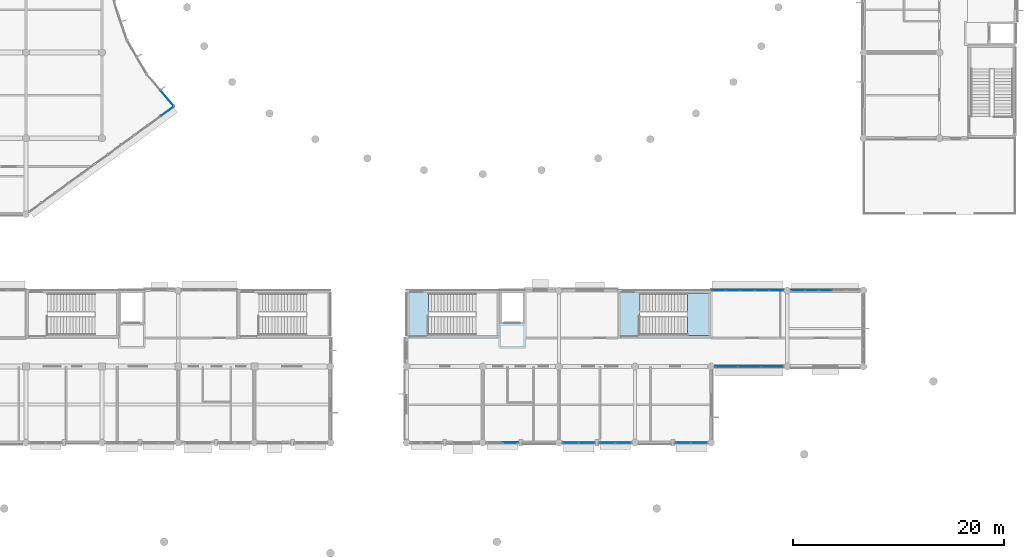
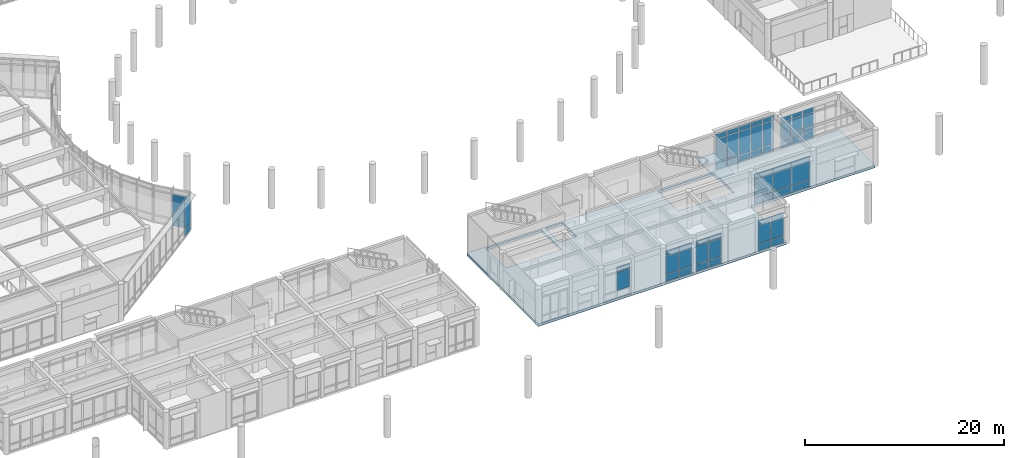
# One storey, part 38 of 92: 58 plates, 2 slabs, 10 elements without a shape of their own.
"""IFC4 building model written with IfcOpenShell, lengths in metres."""

import ifcopenshell
import ifcopenshell.guid

model = None  # the IFC model being written
_history = None  # IfcOwnerHistory: only IFC2X3 demands one
_inside = {}  # id of a spatial element -> (the spatial element, [elements in it])
_under = {}  # id of a project, library or spatial element -> (it, [spatial elements below it])
_declared = {}  # id of a project -> (the project, [libraries it declares])
_typed = {}  # id of a type object -> (the type object, [elements of that type])
_made_of = {}  # id of a material, layer set ... -> (it, [elements and type objects made of it])


def new_model(schema):
    """Start an empty IFC model of exactly this schema.

    Asked for "IFC4X3", IfcOpenShell would pick the latest addendum, in which some entities
    have other attributes; the version numbers below select the first issue.
    IFC2X3 requires an IfcOwnerHistory on every rooted entity: one is made here for all.
    """
    global model, _history
    if schema == "IFC4X3":
        model = ifcopenshell.file(schema_version=(4, 3, 0, 0))
    else:
        model = ifcopenshell.file(schema=schema)
    _inside.clear()
    _under.clear()
    _declared.clear()
    _typed.clear()
    _made_of.clear()
    _history = None
    if model.schema == "IFC2X3":
        org = make("IfcOrganization", Name="unknown")
        user = make(
            "IfcPersonAndOrganization",
            ThePerson=make("IfcPerson", FamilyName="unknown"),
            TheOrganization=org,
        )
        app = make(
            "IfcApplication",
            ApplicationDeveloper=org,
            Version="unknown",
            ApplicationFullName="unknown",
            ApplicationIdentifier="unknown",
        )
        _history = make(
            "IfcOwnerHistory",
            OwningUser=user,
            OwningApplication=app,
            ChangeAction="ADDED",
            CreationDate=0,
        )
    return model


def make(cls, **values):
    """One entity of the class cls with the attributes given. An attribute that is None is left unset."""
    return model.create_entity(
        cls, **{name: value for name, value in values.items() if value is not None}
    )


def rooted(cls, **values):
    """An entity with a GlobalId (a new one), such as an element, a storey or a relation."""
    return make(cls, GlobalId=ifcopenshell.guid.new(), OwnerHistory=_history, **values)


def si_unit(unit_type, name, prefix=None):
    """IfcSIUnit, for example si_unit("LENGTHUNIT", "METRE", prefix="MILLI")."""
    return make("IfcSIUnit", UnitType=unit_type, Prefix=prefix, Name=name)


def assignment(units):
    """IfcUnitAssignment: the units of a project."""
    return None if units is None else make("IfcUnitAssignment", Units=units)


def point(xyz):
    """IfcCartesianPoint."""
    return None if xyz is None else make("IfcCartesianPoint", Coordinates=xyz)


def direction(xyz):
    """IfcDirection."""
    return None if xyz is None else make("IfcDirection", DirectionRatios=xyz)


def frame(location, z_axis=None, x_axis=None):
    """IfcAxis2Placement3D, a coordinate frame: its origin and axes. An axis left out is left unset."""
    return make(
        "IfcAxis2Placement3D",
        Location=point(location),
        Axis=direction(z_axis),
        RefDirection=direction(x_axis),
    )


def frame_2d(location, x_axis=None):
    """IfcAxis2Placement2D, a coordinate frame in the plane: its origin and x axis."""
    return make(
        "IfcAxis2Placement2D", Location=point(location), RefDirection=direction(x_axis)
    )


def origin():
    """The frame at (0, 0, 0) with its axes left unset."""
    return frame((0.0, 0.0, 0.0))


def origin_2d():
    """The frame at (0, 0) in the plane with its x axis left unset."""
    return frame_2d((0.0, 0.0))


def place(relative_to, where):
    """IfcLocalPlacement: puts the frame where relative to a parent placement (None: the world)."""
    return make(
        "IfcLocalPlacement", PlacementRelTo=relative_to, RelativePlacement=where
    )


def context(
    kind, dimensions, precision=None, world=None, true_north=None, identifier=None
):
    """IfcGeometricRepresentationContext, for example the 3D "Model" context."""
    return make(
        "IfcGeometricRepresentationContext",
        ContextIdentifier=identifier,
        ContextType=kind,
        CoordinateSpaceDimension=dimensions,
        Precision=precision,
        WorldCoordinateSystem=world,
        TrueNorth=true_north,
    )


def subcontext(parent, identifier, kind, view, scale=None):
    """IfcGeometricRepresentationSubContext, for example "Body" below "Model"."""
    return make(
        "IfcGeometricRepresentationSubContext",
        ContextIdentifier=identifier,
        ContextType=kind,
        ParentContext=parent,
        TargetScale=scale,
        TargetView=view,
    )


def project(units=None, contexts=None):
    """IfcProject with its units and contexts."""
    return rooted(
        "IfcProject",
        Name="project",
        RepresentationContexts=contexts,
        UnitsInContext=assignment(units),
    )


def spatial(cls, under=None, at=None, **own):
    """A site, building, storey or space (cls), placed at a placement, below another one or the project."""
    s = rooted(cls, ObjectPlacement=at, **own)
    if under is not None:
        _under.setdefault(under.id(), (under, []))[1].append(s)
    return s


def polyline(points):
    """IfcPolyline through the points."""
    return make("IfcPolyline", Points=[point(p) for p in points])


def profile(cls, at=None, kind="AREA", **sizes):
    """A parametric profile (cls). Its sizes go by their IFC names, for example OverallWidth=200.0."""
    return make(cls, ProfileType=kind, Position=at, **sizes)


def rectangle(**sizes):
    """IfcRectangleProfileDef."""
    return profile("IfcRectangleProfileDef", **sizes)


def outline(outer, holes=None, kind="AREA"):
    """IfcArbitraryClosedProfileDef: a profile drawn as a closed curve; with holes, ...WithVoids."""
    if holes is None:
        return make("IfcArbitraryClosedProfileDef", ProfileType=kind, OuterCurve=outer)
    return make(
        "IfcArbitraryProfileDefWithVoids",
        ProfileType=kind,
        OuterCurve=outer,
        InnerCurves=holes,
    )


def extrude(swept, where, along, depth):
    """IfcExtrudedAreaSolid: the profile swept, set in the frame where, extruded along a direction by depth."""
    return make(
        "IfcExtrudedAreaSolid",
        SweptArea=swept,
        Position=where,
        ExtrudedDirection=direction(along),
        Depth=depth,
    )


def shape(context_of_items, identifier, shape_type, items):
    """IfcShapeRepresentation: the items that make up one representation, for example the "Body"."""
    return make(
        "IfcShapeRepresentation",
        ContextOfItems=context_of_items,
        RepresentationIdentifier=identifier,
        RepresentationType=shape_type,
        Items=items,
    )


def material(Name=None, Category=None):
    """IfcMaterial."""
    return make("IfcMaterial", Name=Name, Category=Category)


def layer(
    of_material, thickness, ventilated=None, Name=None, Category=None, Priority=None
):
    """IfcMaterialLayer: one layer of a wall or slab, of a material (None: an air gap)."""
    return make(
        "IfcMaterialLayer",
        Material=of_material,
        LayerThickness=thickness,
        IsVentilated=ventilated,
        Name=Name,
        Category=Category,
        Priority=Priority,
    )


def layer_set(layers, Name=None):
    """IfcMaterialLayerSet."""
    return make("IfcMaterialLayerSet", MaterialLayers=layers, LayerSetName=Name)


def made_of(thing, what):
    """Note that an element or type object is made of a material, layer set ...; save() writes the relation."""
    if what is not None:
        _made_of.setdefault(what.id(), (what, []))[1].append(thing)
    return thing


def type_object(cls, material=None, **own):
    """A type object (cls), such as IfcWallType, which elements share."""
    return made_of(rooted(cls, **own), material)


def element(
    cls,
    number,
    at=None,
    inside=None,
    cuts=None,
    type_object=None,
    material=None,
    context=None,
    identifier="Body",
    shape_type=None,
    held_by="IfcProductDefinitionShape",
    body=None,
    shapes=None,
    **own,
):
    """One element of the class cls, such as IfcWall. Its Tag is "e" and its number.

    at: its placement. inside: the storey or other place that contains it. cuts: it is an
    opening in that element (IfcRelVoidsElement). A single representation is given by context,
    identifier, shape_type and body (its items); several are given by shapes. held_by: the class
    of the entity that holds the representations. save() writes the other relations.
    """
    e = rooted(cls, Tag="e%d" % number, ObjectPlacement=at, **own)
    if body is not None:
        shapes = [shape(context, identifier, shape_type, body)]
    if shapes is not None:
        e.Representation = make(held_by, Representations=shapes)
    if inside is not None:
        _inside.setdefault(inside.id(), (inside, []))[1].append(e)
    if cuts is not None:
        rooted(
            "IfcRelVoidsElement", RelatingBuildingElement=cuts, RelatedOpeningElement=e
        )
    if type_object is not None:
        _typed.setdefault(type_object.id(), (type_object, []))[1].append(e)
    return made_of(e, material)


def aggregate(whole, parts):
    """IfcRelAggregates: a whole, such as a stair, and the parts it consists of."""
    return rooted("IfcRelAggregates", RelatingObject=whole, RelatedObjects=parts)


def save(model, path):
    """Write the relations noted so far, then the file.

    IfcRelAggregates (storeys below a building ...), IfcRelContainedInSpatialStructure (elements
    in a storey), IfcRelDefinesByType, IfcRelAssociatesMaterial and IfcRelDeclares: one each for
    every whole, place, type object, material and project.
    """
    for whole, parts in _under.values():
        aggregate(whole, parts)
    for where, things in _inside.values():
        rooted(
            "IfcRelContainedInSpatialStructure",
            RelatedElements=things,
            RelatingStructure=where,
        )
    for kind, things in _typed.values():
        rooted("IfcRelDefinesByType", RelatedObjects=things, RelatingType=kind)
    for what, things in _made_of.values():
        rooted("IfcRelAssociatesMaterial", RelatedObjects=things, RelatingMaterial=what)
    for by, libraries in _declared.values():
        rooted("IfcRelDeclares", RelatingContext=by, RelatedDefinitions=libraries)
    model.write(path)


model = new_model("IFC4")

# Units and contexts
model_context = context("Model", 3, precision=1e-05, world=origin(), true_north=direction((0.0, 1.0)))
body_context = subcontext(model_context, "Body", "Model", "MODEL_VIEW")
ifc_project = project(units=[si_unit("LENGTHUNIT", "METRE"), si_unit("AREAUNIT", "SQUARE_METRE"), si_unit("VOLUMEUNIT", "CUBIC_METRE"), si_unit("PLANEANGLEUNIT", "RADIAN"), si_unit("MASSUNIT", "GRAM", prefix="KILO")], contexts=[model_context])

# Site, building, storey
site_placement = place(None, origin())
site = spatial("IfcSite", under=ifc_project, at=site_placement, CompositionType="ELEMENT")
building_placement = place(site_placement, origin())
building = spatial("IfcBuilding", under=site, at=building_placement, Name="Namkhue Oval Health Centre", CompositionType="ELEMENT")
storey_placement = place(building_placement, frame((0.0, 0.0, 4.800048828125)))
storey = spatial("IfcBuildingStorey", under=building, at=storey_placement, Name="L01", CompositionType="ELEMENT", Elevation=4.800048828125)

# Curtain wall, plates
ifc_material_1 = material(Name="Anodised aluminium EN AW-6063 T6", Category="aluminium")
ifc_layer_1 = layer(ifc_material_1, 0.159912109375)
ifc_layer_set_1 = layer_set([ifc_layer_1], Name="Anodised aluminium EN AW-6063 T6")
curtain_wall_type_1 = type_object("IfcCurtainWallType", Name="UNITISED CURTAIN WALL M1500", PredefinedType="NOTDEFINED", material=ifc_layer_set_1)
curtain_wall_1_placement = place(storey_placement, origin())
curtain_wall_1 = element("IfcCurtainWall", 1, at=curtain_wall_1_placement, inside=storey, type_object=curtain_wall_type_1, Name="Volume V5 L01 Unitised Curtain Wall 189", PredefinedType="NOTDEFINED")
ifc_material_2 = material(Name="Thermally broken low-E laminated double glazing", Category="glass")
ifc_layer_2 = layer(ifc_material_2, 0.02587890625)
ifc_layer_set_2 = layer_set([ifc_layer_2], Name="Thermally broken low-E laminated double glazing")
plate_type_1 = type_object("IfcPlateType", Name="CURTAIN WALL GLAZED PANEL 26", PredefinedType="CURTAIN_PANEL", material=ifc_layer_set_2)
plate_1_placement = place(storey_placement, frame((109.12109375, 14.39990234375, 0.06494140625), z_axis=(0.0, 0.0, 1.0), x_axis=(1.0, 0.0, 0.0)))
plate_1 = element("IfcPlate", 2, at=plate_1_placement, type_object=plate_type_1, Name="CW-03 panel 1.1", PredefinedType="CURTAIN_PANEL", context=body_context, shape_type="SweptSolid", body=[
    extrude(rectangle(XDim=1.44189453125, YDim=0.02587890625, at=origin_2d()), origin(), (0.0, 0.0, 1.0), 0.802490234375),
])
plate_2_placement = place(storey_placement, frame((109.12109375, 14.39990234375, 0.932373046875), z_axis=(0.0, 0.0, 1.0), x_axis=(1.0, 0.0, 0.0)))
plate_2 = element("IfcPlate", 3, at=plate_2_placement, type_object=plate_type_1, Name="CW-03 panel 1.2", PredefinedType="CURTAIN_PANEL", context=body_context, shape_type="SweptSolid", body=[
    extrude(rectangle(XDim=1.44189453125, YDim=0.02587890625, at=origin_2d()), origin(), (0.0, 0.0, 1.0), 2.22509765625),
])
plate_3_placement = place(storey_placement, frame((109.12109375, 14.39990234375, 3.22265625), z_axis=(0.0, 0.0, 1.0), x_axis=(1.0, 0.0, 0.0)))
plate_3 = element("IfcPlate", 4, at=plate_3_placement, type_object=plate_type_1, Name="CW-03 panel 1.3", PredefinedType="CURTAIN_PANEL", context=body_context, shape_type="SweptSolid", body=[
    extrude(rectangle(XDim=1.44189453125, YDim=0.02587890625, at=origin_2d()), origin(), (0.0, 0.0, 1.0), 0.552490234375),
])
plate_4_placement = place(storey_placement, frame((110.6279296875, 14.39990234375, 0.06494140625), z_axis=(0.0, 0.0, 1.0), x_axis=(1.0, 0.0, 0.0)))
plate_4 = element("IfcPlate", 5, at=plate_4_placement, type_object=plate_type_1, Name="CW-03 panel 2.1", PredefinedType="CURTAIN_PANEL", context=body_context, shape_type="SweptSolid", body=[
    extrude(rectangle(XDim=1.44189453125, YDim=0.02587890625, at=origin_2d()), origin(), (0.0, 0.0, 1.0), 0.802490234375),
])
plate_5_placement = place(storey_placement, frame((110.6279296875, 14.39990234375, 0.932373046875), z_axis=(0.0, 0.0, 1.0), x_axis=(1.0, 0.0, 0.0)))
plate_5 = element("IfcPlate", 6, at=plate_5_placement, type_object=plate_type_1, Name="CW-03 panel 2.2", PredefinedType="CURTAIN_PANEL", context=body_context, shape_type="SweptSolid", body=[
    extrude(rectangle(XDim=1.44189453125, YDim=0.02587890625, at=origin_2d()), origin(), (0.0, 0.0, 1.0), 2.22509765625),
])
plate_6_placement = place(storey_placement, frame((110.6279296875, 14.39990234375, 3.22265625), z_axis=(0.0, 0.0, 1.0), x_axis=(1.0, 0.0, 0.0)))
plate_6 = element("IfcPlate", 7, at=plate_6_placement, type_object=plate_type_1, Name="CW-03 panel 2.3", PredefinedType="CURTAIN_PANEL", context=body_context, shape_type="SweptSolid", body=[
    extrude(rectangle(XDim=1.44189453125, YDim=0.02587890625, at=origin_2d()), origin(), (0.0, 0.0, 1.0), 0.552490234375),
])
aggregate(curtain_wall_1, [plate_1, plate_2, plate_3, plate_4, plate_5, plate_6])

ifc_layer_3 = layer(ifc_material_1, 0.159912109375)
ifc_layer_set_3 = layer_set([ifc_layer_3], Name="Anodised aluminium EN AW-6063 T6")
curtain_wall_type_2 = type_object("IfcCurtainWallType", Name="UNITISED CURTAIN WALL M1600", PredefinedType="NOTDEFINED", material=ifc_layer_set_3)
curtain_wall_2_placement = place(storey_placement, origin())
curtain_wall_2 = element("IfcCurtainWall", 8, at=curtain_wall_2_placement, inside=storey, type_object=curtain_wall_type_2, Name="Volume V1 L01 Unitised Curtain Wall 22", PredefinedType="NOTDEFINED")
ifc_layer_4 = layer(ifc_material_2, 0.028076171875)
ifc_layer_set_4 = layer_set([ifc_layer_4], Name="Thermally broken low-E laminated double glazing")
plate_type_2 = type_object("IfcPlateType", Name="CURTAIN WALL GLAZED PANEL 28", PredefinedType="CURTAIN_PANEL", material=ifc_layer_set_4)
plate_7_placement = place(storey_placement, frame((70.97802734375, 45.737060546875, 0.074951171875), z_axis=(0.0, 0.0, 1.0), x_axis=(0.808513999682, 0.588476942894, 0.0)))
plate_7 = element("IfcPlate", 9, at=plate_7_placement, type_object=plate_type_2, Name="CW-04 panel 11.1", PredefinedType="CURTAIN_PANEL", context=body_context, shape_type="SweptSolid", body=[
    extrude(rectangle(XDim=1.433349609375, YDim=0.028076171875, at=origin_2d()), origin(), (0.0, 0.0, 1.0), 0.78759765625),
])
plate_8_placement = place(storey_placement, frame((70.97802734375, 45.737060546875, 0.9375), z_axis=(0.0, 0.0, 1.0), x_axis=(0.808513999682, 0.588476942894, 0.0)))
plate_8 = element("IfcPlate", 10, at=plate_8_placement, type_object=plate_type_2, Name="CW-04 panel 11.2", PredefinedType="CURTAIN_PANEL", context=body_context, shape_type="SweptSolid", body=[
    extrude(rectangle(XDim=1.433349609375, YDim=0.028076171875, at=origin_2d()), origin(), (0.0, 0.0, 1.0), 2.97509765625),
])
plate_9_placement = place(storey_placement, frame((70.97802734375, 45.737060546875, 3.9873046875), z_axis=(0.0, 0.0, 1.0), x_axis=(0.808513999682, 0.588476942894, 0.0)))
plate_9 = element("IfcPlate", 11, at=plate_9_placement, type_object=plate_type_2, Name="CW-04 panel 11.3", PredefinedType="CURTAIN_PANEL", context=body_context, shape_type="SweptSolid", body=[
    extrude(rectangle(XDim=1.433349609375, YDim=0.028076171875, at=origin_2d()), origin(), (0.0, 0.0, 1.0), 0.53759765625),
])
aggregate(curtain_wall_2, [plate_7, plate_8, plate_9])

curtain_wall_3_placement = place(storey_placement, origin())
curtain_wall_3 = element("IfcCurtainWall", 12, at=curtain_wall_3_placement, inside=storey, type_object=curtain_wall_type_2, Name="Volume V5 L01 Unitised Curtain Wall 190", PredefinedType="NOTDEFINED")
plate_10_placement = place(storey_placement, frame((112.574462890625, 14.39990234375, 0.074951171875), z_axis=(0.0, 0.0, 1.0), x_axis=(1.0, 0.0, 0.0)))
plate_10 = element("IfcPlate", 13, at=plate_10_placement, type_object=plate_type_2, Name="CW-04 panel 1.1", PredefinedType="CURTAIN_PANEL", context=body_context, shape_type="SweptSolid", body=[
    extrude(rectangle(XDim=1.427001953125, YDim=0.028076171875, at=origin_2d()), origin(), (0.0, 0.0, 1.0), 0.78759765625),
])
plate_11_placement = place(storey_placement, frame((112.574462890625, 14.39990234375, 0.9375), z_axis=(0.0, 0.0, 1.0), x_axis=(1.0, 0.0, 0.0)))
plate_11 = element("IfcPlate", 14, at=plate_11_placement, type_object=plate_type_2, Name="CW-04 panel 1.2", PredefinedType="CURTAIN_PANEL", context=body_context, shape_type="SweptSolid", body=[
    extrude(rectangle(XDim=1.427001953125, YDim=0.028076171875, at=origin_2d()), origin(), (0.0, 0.0, 1.0), 2.215087890625),
])
plate_12_placement = place(storey_placement, frame((112.574462890625, 14.39990234375, 3.227294921875), z_axis=(0.0, 0.0, 1.0), x_axis=(1.0, 0.0, 0.0)))
plate_12 = element("IfcPlate", 15, at=plate_12_placement, type_object=plate_type_2, Name="CW-04 panel 1.3", PredefinedType="CURTAIN_PANEL", context=body_context, shape_type="SweptSolid", body=[
    extrude(rectangle(XDim=1.427001953125, YDim=0.028076171875, at=origin_2d()), origin(), (0.0, 0.0, 1.0), 0.53759765625),
])
plate_13_placement = place(storey_placement, frame((114.076416015625, 14.39990234375, 0.074951171875), z_axis=(0.0, 0.0, 1.0), x_axis=(1.0, 0.0, 0.0)))
plate_13 = element("IfcPlate", 16, at=plate_13_placement, type_object=plate_type_2, Name="CW-04 panel 2.1", PredefinedType="CURTAIN_PANEL", context=body_context, shape_type="SweptSolid", body=[
    extrude(rectangle(XDim=1.427001953125, YDim=0.028076171875, at=origin_2d()), origin(), (0.0, 0.0, 1.0), 0.78759765625),
])
plate_14_placement = place(storey_placement, frame((114.076416015625, 14.39990234375, 0.9375), z_axis=(0.0, 0.0, 1.0), x_axis=(1.0, 0.0, 0.0)))
plate_14 = element("IfcPlate", 17, at=plate_14_placement, type_object=plate_type_2, Name="CW-04 panel 2.2", PredefinedType="CURTAIN_PANEL", context=body_context, shape_type="SweptSolid", body=[
    extrude(rectangle(XDim=1.427001953125, YDim=0.028076171875, at=origin_2d()), origin(), (0.0, 0.0, 1.0), 2.215087890625),
])
plate_15_placement = place(storey_placement, frame((114.076416015625, 14.39990234375, 3.227294921875), z_axis=(0.0, 0.0, 1.0), x_axis=(1.0, 0.0, 0.0)))
plate_15 = element("IfcPlate", 18, at=plate_15_placement, type_object=plate_type_2, Name="CW-04 panel 2.3", PredefinedType="CURTAIN_PANEL", context=body_context, shape_type="SweptSolid", body=[
    extrude(rectangle(XDim=1.427001953125, YDim=0.028076171875, at=origin_2d()), origin(), (0.0, 0.0, 1.0), 0.53759765625),
])
aggregate(curtain_wall_3, [plate_10, plate_11, plate_12, plate_13, plate_14, plate_15])

ifc_layer_5 = layer(ifc_material_1, 0.159912109375)
ifc_layer_set_5 = layer_set([ifc_layer_5], Name="Anodised aluminium EN AW-6063 T6")
curtain_wall_type_3 = type_object("IfcCurtainWallType", Name="UNITISED CURTAIN WALL M1350", PredefinedType="NOTDEFINED", material=ifc_layer_set_5)
curtain_wall_4_placement = place(storey_placement, origin())
curtain_wall_4 = element("IfcCurtainWall", 19, at=curtain_wall_4_placement, inside=storey, type_object=curtain_wall_type_3, Name="Volume V5 L01 Unitised Curtain Wall 194", PredefinedType="NOTDEFINED")
plate_16_placement = place(storey_placement, frame((133.199951171875, 28.800048828125, 0.074951171875), z_axis=(0.0, 0.0, 1.0), x_axis=(-1.0, 0.0, 0.0)))
plate_16 = element("IfcPlate", 20, at=plate_16_placement, type_object=plate_type_2, Name="CW-02 panel 3.1", PredefinedType="CURTAIN_PANEL", context=body_context, shape_type="SweptSolid", body=[
    extrude(rectangle(XDim=1.23095703125, YDim=0.028076171875, at=origin_2d()), origin(), (0.0, 0.0, 1.0), 0.78759765625),
])
plate_17_placement = place(storey_placement, frame((133.199951171875, 28.800048828125, 0.9375), z_axis=(0.0, 0.0, 1.0), x_axis=(-1.0, 0.0, 0.0)))
plate_17 = element("IfcPlate", 21, at=plate_17_placement, type_object=plate_type_2, Name="CW-02 panel 3.2", PredefinedType="CURTAIN_PANEL", context=body_context, shape_type="SweptSolid", body=[
    extrude(rectangle(XDim=1.23095703125, YDim=0.028076171875, at=origin_2d()), origin(), (0.0, 0.0, 1.0), 2.262939453125),
])
plate_18_placement = place(storey_placement, frame((133.199951171875, 28.800048828125, 3.275390625), z_axis=(0.0, 0.0, 1.0), x_axis=(-1.0, 0.0, 0.0)))
plate_18 = element("IfcPlate", 22, at=plate_18_placement, type_object=plate_type_2, Name="CW-02 panel 3.3", PredefinedType="CURTAIN_PANEL", context=body_context, shape_type="SweptSolid", body=[
    extrude(rectangle(XDim=1.23095703125, YDim=0.028076171875, at=origin_2d()), origin(), (0.0, 0.0, 1.0), 0.53759765625),
])
plate_19_placement = place(storey_placement, frame((131.89404296875, 28.800048828125, 0.074951171875), z_axis=(0.0, 0.0, 1.0), x_axis=(-1.0, 0.0, 0.0)))
plate_19 = element("IfcPlate", 23, at=plate_19_placement, type_object=plate_type_2, Name="CW-02 panel 4.1", PredefinedType="CURTAIN_PANEL", context=body_context, shape_type="SweptSolid", body=[
    extrude(rectangle(XDim=1.23095703125, YDim=0.028076171875, at=origin_2d()), origin(), (0.0, 0.0, 1.0), 0.78759765625),
])
plate_20_placement = place(storey_placement, frame((131.89404296875, 28.800048828125, 0.9375), z_axis=(0.0, 0.0, 1.0), x_axis=(-1.0, 0.0, 0.0)))
plate_20 = element("IfcPlate", 24, at=plate_20_placement, type_object=plate_type_2, Name="CW-02 panel 4.2", PredefinedType="CURTAIN_PANEL", context=body_context, shape_type="SweptSolid", body=[
    extrude(rectangle(XDim=1.23095703125, YDim=0.028076171875, at=origin_2d()), origin(), (0.0, 0.0, 1.0), 2.262939453125),
])
plate_21_placement = place(storey_placement, frame((131.89404296875, 28.800048828125, 3.275390625), z_axis=(0.0, 0.0, 1.0), x_axis=(-1.0, 0.0, 0.0)))
plate_21 = element("IfcPlate", 25, at=plate_21_placement, type_object=plate_type_2, Name="CW-02 panel 4.3", PredefinedType="CURTAIN_PANEL", context=body_context, shape_type="SweptSolid", body=[
    extrude(rectangle(XDim=1.23095703125, YDim=0.028076171875, at=origin_2d()), origin(), (0.0, 0.0, 1.0), 0.53759765625),
])
plate_22_placement = place(storey_placement, frame((130.606689453125, 28.800048828125, 0.074951171875), z_axis=(0.0, 0.0, 1.0), x_axis=(-1.0, 0.0, 0.0)))
plate_22 = element("IfcPlate", 26, at=plate_22_placement, type_object=plate_type_2, Name="CW-02 panel 5.1", PredefinedType="CURTAIN_PANEL", context=body_context, shape_type="SweptSolid", body=[
    extrude(rectangle(XDim=1.193603515625, YDim=0.028076171875, at=origin_2d()), origin(), (0.0, 0.0, 1.0), 0.78759765625),
])
plate_23_placement = place(storey_placement, frame((130.606689453125, 28.800048828125, 0.9375), z_axis=(0.0, 0.0, 1.0), x_axis=(-1.0, 0.0, 0.0)))
plate_23 = element("IfcPlate", 27, at=plate_23_placement, type_object=plate_type_2, Name="CW-02 panel 5.2", PredefinedType="CURTAIN_PANEL", context=body_context, shape_type="SweptSolid", body=[
    extrude(rectangle(XDim=1.193603515625, YDim=0.028076171875, at=origin_2d()), origin(), (0.0, 0.0, 1.0), 2.262939453125),
])
plate_24_placement = place(storey_placement, frame((130.606689453125, 28.800048828125, 3.275390625), z_axis=(0.0, 0.0, 1.0), x_axis=(-1.0, 0.0, 0.0)))
plate_24 = element("IfcPlate", 28, at=plate_24_placement, type_object=plate_type_2, Name="CW-02 panel 5.3", PredefinedType="CURTAIN_PANEL", context=body_context, shape_type="SweptSolid", body=[
    extrude(rectangle(XDim=1.193603515625, YDim=0.028076171875, at=origin_2d()), origin(), (0.0, 0.0, 1.0), 0.53759765625),
])
aggregate(curtain_wall_4, [plate_16, plate_17, plate_18, plate_19, plate_20, plate_21, plate_22, plate_23, plate_24])

ifc_layer_6 = layer(ifc_material_1, 0.159912109375)
ifc_layer_set_6 = layer_set([ifc_layer_6], Name="Anodised aluminium EN AW-6063 T6")
curtain_wall_type_4 = type_object("IfcCurtainWallType", Name="UNITISED CURTAIN WALL M1800", PredefinedType="NOTDEFINED", material=ifc_layer_set_6)
curtain_wall_5_placement = place(storey_placement, origin())
curtain_wall_5 = element("IfcCurtainWall", 29, at=curtain_wall_5_placement, inside=storey, type_object=curtain_wall_type_4, Name="Volume V1 L01 Unitised Curtain Wall 23", PredefinedType="NOTDEFINED")
ifc_material_3 = material(Name="Insulated anodised aluminium spandrel panel", Category="aluminium")
ifc_layer_7 = layer(ifc_material_3, 0.031982421875)
ifc_layer_set_7 = layer_set([ifc_layer_7], Name="Insulated anodised aluminium spandrel panel")
plate_type_3 = type_object("IfcPlateType", Name="CURTAIN WALL SPANDREL PANEL 32", PredefinedType="CURTAIN_PANEL", material=ifc_layer_set_7)
plate_25_placement = place(storey_placement, frame((70.960205078125, 46.974609375, 0.06494140625), z_axis=(0.0, 0.0, 1.0), x_axis=(-0.648746071067, 0.761004950887, 0.0)))
plate_25 = element("IfcPlate", 30, at=plate_25_placement, type_object=plate_type_3, Name="CW-05 panel 1.1", PredefinedType="CURTAIN_PANEL", context=body_context, shape_type="SweptSolid", body=[
    extrude(rectangle(XDim=1.89794921875, YDim=0.031982421875, at=origin_2d()), origin(), (0.0, 0.0, 1.0), 0.802490234375),
])
plate_26_placement = place(storey_placement, frame((70.960205078125, 46.974609375, 0.9326171875), z_axis=(0.0, 0.0, 1.0), x_axis=(-0.648746071067, 0.761004950887, 0.0)))
plate_26 = element("IfcPlate", 31, at=plate_26_placement, type_object=plate_type_3, Name="CW-05 panel 1.2", PredefinedType="CURTAIN_PANEL", context=body_context, shape_type="SweptSolid", body=[
    extrude(rectangle(XDim=1.89794921875, YDim=0.031982421875, at=origin_2d()), origin(), (0.0, 0.0, 1.0), 2.985107421875),
])
aggregate(curtain_wall_5, [plate_25, plate_26])

curtain_wall_6_placement = place(storey_placement, origin())
curtain_wall_6 = element("IfcCurtainWall", 32, at=curtain_wall_6_placement, inside=storey, type_object=curtain_wall_type_4, Name="Volume V5 L01 Unitised Curtain Wall 191", PredefinedType="NOTDEFINED")
plate_27_placement = place(storey_placement, frame((119.77197265625, 14.39990234375, 0.06494140625), z_axis=(0.0, 0.0, 1.0), x_axis=(1.0, 0.0, 0.0)))
plate_27 = element("IfcPlate", 33, at=plate_27_placement, type_object=plate_type_3, Name="CW-05 panel 1.1", PredefinedType="CURTAIN_PANEL", context=body_context, shape_type="SweptSolid", body=[
    extrude(rectangle(XDim=1.44189453125, YDim=0.031982421875, at=origin_2d()), origin(), (0.0, 0.0, 1.0), 0.802490234375),
])
plate_28_placement = place(storey_placement, frame((119.77197265625, 14.39990234375, 0.932373046875), z_axis=(0.0, 0.0, 1.0), x_axis=(1.0, 0.0, 0.0)))
plate_28 = element("IfcPlate", 34, at=plate_28_placement, type_object=plate_type_3, Name="CW-05 panel 1.2", PredefinedType="CURTAIN_PANEL", context=body_context, shape_type="SweptSolid", body=[
    extrude(rectangle(XDim=1.44189453125, YDim=0.031982421875, at=origin_2d()), origin(), (0.0, 0.0, 1.0), 2.22509765625),
])
plate_29_placement = place(storey_placement, frame((119.77197265625, 14.39990234375, 3.22265625), z_axis=(0.0, 0.0, 1.0), x_axis=(1.0, 0.0, 0.0)))
plate_29 = element("IfcPlate", 35, at=plate_29_placement, type_object=plate_type_3, Name="CW-05 panel 1.3", PredefinedType="CURTAIN_PANEL", context=body_context, shape_type="SweptSolid", body=[
    extrude(rectangle(XDim=1.44189453125, YDim=0.031982421875, at=origin_2d()), origin(), (0.0, 0.0, 1.0), 0.552490234375),
])
plate_30_placement = place(storey_placement, frame((121.279052734375, 14.39990234375, 0.06494140625), z_axis=(0.0, 0.0, 1.0), x_axis=(1.0, 0.0, 0.0)))
plate_30 = element("IfcPlate", 36, at=plate_30_placement, type_object=plate_type_3, Name="CW-05 panel 2.1", PredefinedType="CURTAIN_PANEL", context=body_context, shape_type="SweptSolid", body=[
    extrude(rectangle(XDim=1.44189453125, YDim=0.031982421875, at=origin_2d()), origin(), (0.0, 0.0, 1.0), 0.802490234375),
])
plate_31_placement = place(storey_placement, frame((121.279052734375, 14.39990234375, 0.932373046875), z_axis=(0.0, 0.0, 1.0), x_axis=(1.0, 0.0, 0.0)))
plate_31 = element("IfcPlate", 37, at=plate_31_placement, type_object=plate_type_3, Name="CW-05 panel 2.2", PredefinedType="CURTAIN_PANEL", context=body_context, shape_type="SweptSolid", body=[
    extrude(rectangle(XDim=1.44189453125, YDim=0.031982421875, at=origin_2d()), origin(), (0.0, 0.0, 1.0), 2.22509765625),
])
plate_32_placement = place(storey_placement, frame((121.279052734375, 14.39990234375, 3.22265625), z_axis=(0.0, 0.0, 1.0), x_axis=(1.0, 0.0, 0.0)))
plate_32 = element("IfcPlate", 38, at=plate_32_placement, type_object=plate_type_3, Name="CW-05 panel 2.3", PredefinedType="CURTAIN_PANEL", context=body_context, shape_type="SweptSolid", body=[
    extrude(rectangle(XDim=1.44189453125, YDim=0.031982421875, at=origin_2d()), origin(), (0.0, 0.0, 1.0), 0.552490234375),
])
aggregate(curtain_wall_6, [plate_27, plate_28, plate_29, plate_30, plate_31, plate_32])

curtain_wall_7_placement = place(storey_placement, origin())
curtain_wall_7 = element("IfcCurtainWall", 39, at=curtain_wall_7_placement, inside=storey, type_object=curtain_wall_type_1, Name="Volume V5 L01 Unitised Curtain Wall 195", PredefinedType="NOTDEFINED")
plate_33_placement = place(storey_placement, frame((128.56396484375, 28.800048828125, 0.06494140625), z_axis=(0.0, 0.0, 1.0), x_axis=(-1.0, 0.0, 0.0)))
plate_33 = element("IfcPlate", 40, at=plate_33_placement, type_object=plate_type_3, Name="CW-03 panel 1.1", PredefinedType="CURTAIN_PANEL", context=body_context, shape_type="SweptSolid", body=[
    extrude(rectangle(XDim=1.272216796875, YDim=0.031982421875, at=origin_2d()), origin(), (0.0, 0.0, 1.0), 0.802490234375),
])
plate_34_placement = place(storey_placement, frame((128.56396484375, 28.800048828125, 0.932373046875), z_axis=(0.0, 0.0, 1.0), x_axis=(-1.0, 0.0, 0.0)))
plate_34 = element("IfcPlate", 41, at=plate_34_placement, type_object=plate_type_3, Name="CW-03 panel 1.2", PredefinedType="CURTAIN_PANEL", context=body_context, shape_type="SweptSolid", body=[
    extrude(rectangle(XDim=1.272216796875, YDim=0.031982421875, at=origin_2d()), origin(), (0.0, 0.0, 1.0), 2.875),
])
plate_35_placement = place(storey_placement, frame((128.56396484375, 28.800048828125, 3.87255859375), z_axis=(0.0, 0.0, 1.0), x_axis=(-1.0, 0.0, 0.0)))
plate_35 = element("IfcPlate", 42, at=plate_35_placement, type_object=plate_type_3, Name="CW-03 panel 1.3", PredefinedType="CURTAIN_PANEL", context=body_context, shape_type="SweptSolid", body=[
    extrude(rectangle(XDim=1.272216796875, YDim=0.031982421875, at=origin_2d()), origin(), (0.0, 0.0, 1.0), 0.552490234375),
])
plate_36_placement = place(storey_placement, frame((127.210693359375, 28.800048828125, 0.06494140625), z_axis=(0.0, 0.0, 1.0), x_axis=(-1.0, 0.0, 0.0)))
plate_36 = element("IfcPlate", 43, at=plate_36_placement, type_object=plate_type_3, Name="CW-03 panel 2.1", PredefinedType="CURTAIN_PANEL", context=body_context, shape_type="SweptSolid", body=[
    extrude(rectangle(XDim=1.3046875, YDim=0.031982421875, at=origin_2d()), origin(), (0.0, 0.0, 1.0), 0.802490234375),
])
plate_37_placement = place(storey_placement, frame((127.210693359375, 28.800048828125, 0.932373046875), z_axis=(0.0, 0.0, 1.0), x_axis=(-1.0, 0.0, 0.0)))
plate_37 = element("IfcPlate", 44, at=plate_37_placement, type_object=plate_type_3, Name="CW-03 panel 2.2", PredefinedType="CURTAIN_PANEL", context=body_context, shape_type="SweptSolid", body=[
    extrude(rectangle(XDim=1.3046875, YDim=0.031982421875, at=origin_2d()), origin(), (0.0, 0.0, 1.0), 2.875),
])
plate_38_placement = place(storey_placement, frame((127.210693359375, 28.800048828125, 3.87255859375), z_axis=(0.0, 0.0, 1.0), x_axis=(-1.0, 0.0, 0.0)))
plate_38 = element("IfcPlate", 45, at=plate_38_placement, type_object=plate_type_3, Name="CW-03 panel 2.3", PredefinedType="CURTAIN_PANEL", context=body_context, shape_type="SweptSolid", body=[
    extrude(rectangle(XDim=1.3046875, YDim=0.031982421875, at=origin_2d()), origin(), (0.0, 0.0, 1.0), 0.552490234375),
])
plate_39_placement = place(storey_placement, frame((125.841064453125, 28.800048828125, 0.06494140625), z_axis=(0.0, 0.0, 1.0), x_axis=(-1.0, 0.0, 0.0)))
plate_39 = element("IfcPlate", 46, at=plate_39_placement, type_object=plate_type_3, Name="CW-03 panel 3.1", PredefinedType="CURTAIN_PANEL", context=body_context, shape_type="SweptSolid", body=[
    extrude(rectangle(XDim=1.3046875, YDim=0.031982421875, at=origin_2d()), origin(), (0.0, 0.0, 1.0), 0.802490234375),
])
plate_40_placement = place(storey_placement, frame((125.841064453125, 28.800048828125, 0.932373046875), z_axis=(0.0, 0.0, 1.0), x_axis=(-1.0, 0.0, 0.0)))
plate_40 = element("IfcPlate", 47, at=plate_40_placement, type_object=plate_type_3, Name="CW-03 panel 3.2", PredefinedType="CURTAIN_PANEL", context=body_context, shape_type="SweptSolid", body=[
    extrude(rectangle(XDim=1.3046875, YDim=0.031982421875, at=origin_2d()), origin(), (0.0, 0.0, 1.0), 2.875),
])
plate_41_placement = place(storey_placement, frame((125.841064453125, 28.800048828125, 3.87255859375), z_axis=(0.0, 0.0, 1.0), x_axis=(-1.0, 0.0, 0.0)))
plate_41 = element("IfcPlate", 48, at=plate_41_placement, type_object=plate_type_3, Name="CW-03 panel 3.3", PredefinedType="CURTAIN_PANEL", context=body_context, shape_type="SweptSolid", body=[
    extrude(rectangle(XDim=1.3046875, YDim=0.031982421875, at=origin_2d()), origin(), (0.0, 0.0, 1.0), 0.552490234375),
])
plate_42_placement = place(storey_placement, frame((124.471435546875, 28.800048828125, 0.06494140625), z_axis=(0.0, 0.0, 1.0), x_axis=(-1.0, 0.0, 0.0)))
plate_42 = element("IfcPlate", 49, at=plate_42_placement, type_object=plate_type_3, Name="CW-03 panel 4.1", PredefinedType="CURTAIN_PANEL", context=body_context, shape_type="SweptSolid", body=[
    extrude(rectangle(XDim=1.3046875, YDim=0.031982421875, at=origin_2d()), origin(), (0.0, 0.0, 1.0), 0.802490234375),
])
plate_43_placement = place(storey_placement, frame((124.471435546875, 28.800048828125, 0.932373046875), z_axis=(0.0, 0.0, 1.0), x_axis=(-1.0, 0.0, 0.0)))
plate_43 = element("IfcPlate", 50, at=plate_43_placement, type_object=plate_type_3, Name="CW-03 panel 4.2", PredefinedType="CURTAIN_PANEL", context=body_context, shape_type="SweptSolid", body=[
    extrude(rectangle(XDim=1.3046875, YDim=0.031982421875, at=origin_2d()), origin(), (0.0, 0.0, 1.0), 2.875),
])
plate_44_placement = place(storey_placement, frame((124.471435546875, 28.800048828125, 3.87255859375), z_axis=(0.0, 0.0, 1.0), x_axis=(-1.0, 0.0, 0.0)))
plate_44 = element("IfcPlate", 51, at=plate_44_placement, type_object=plate_type_3, Name="CW-03 panel 4.3", PredefinedType="CURTAIN_PANEL", context=body_context, shape_type="SweptSolid", body=[
    extrude(rectangle(XDim=1.3046875, YDim=0.031982421875, at=origin_2d()), origin(), (0.0, 0.0, 1.0), 0.552490234375),
])
plate_45_placement = place(storey_placement, frame((123.1181640625, 28.800048828125, 0.06494140625), z_axis=(0.0, 0.0, 1.0), x_axis=(-1.0, 0.0, 0.0)))
plate_45 = element("IfcPlate", 52, at=plate_45_placement, type_object=plate_type_3, Name="CW-03 panel 5.1", PredefinedType="CURTAIN_PANEL", context=body_context, shape_type="SweptSolid", body=[
    extrude(rectangle(XDim=1.272216796875, YDim=0.031982421875, at=origin_2d()), origin(), (0.0, 0.0, 1.0), 0.802490234375),
])
plate_46_placement = place(storey_placement, frame((123.1181640625, 28.800048828125, 0.932373046875), z_axis=(0.0, 0.0, 1.0), x_axis=(-1.0, 0.0, 0.0)))
plate_46 = element("IfcPlate", 53, at=plate_46_placement, type_object=plate_type_3, Name="CW-03 panel 5.2", PredefinedType="CURTAIN_PANEL", context=body_context, shape_type="SweptSolid", body=[
    extrude(rectangle(XDim=1.272216796875, YDim=0.031982421875, at=origin_2d()), origin(), (0.0, 0.0, 1.0), 2.875),
])
plate_47_placement = place(storey_placement, frame((123.1181640625, 28.800048828125, 3.87255859375), z_axis=(0.0, 0.0, 1.0), x_axis=(-1.0, 0.0, 0.0)))
plate_47 = element("IfcPlate", 54, at=plate_47_placement, type_object=plate_type_3, Name="CW-03 panel 5.3", PredefinedType="CURTAIN_PANEL", context=body_context, shape_type="SweptSolid", body=[
    extrude(rectangle(XDim=1.272216796875, YDim=0.031982421875, at=origin_2d()), origin(), (0.0, 0.0, 1.0), 0.552490234375),
])
aggregate(curtain_wall_7, [plate_33, plate_34, plate_35, plate_36, plate_37, plate_38, plate_39, plate_40, plate_41, plate_42, plate_43, plate_44, plate_45, plate_46, plate_47])

curtain_wall_8_placement = place(storey_placement, origin())
curtain_wall_8 = element("IfcCurtainWall", 55, at=curtain_wall_8_placement, inside=storey, type_object=curtain_wall_type_3, Name="Volume V5 L01 Unitised Curtain Wall 188", PredefinedType="NOTDEFINED")
ifc_layer_8 = layer(ifc_material_3, 0.035888671875)
ifc_layer_set_8 = layer_set([ifc_layer_8], Name="Insulated anodised aluminium spandrel panel")
plate_type_4 = type_object("IfcPlateType", Name="CURTAIN WALL SPANDREL PANEL 36", PredefinedType="CURTAIN_PANEL", material=ifc_layer_set_8)
plate_48_placement = place(storey_placement, frame((103.425537109375, 14.39990234375, 0.9375), z_axis=(0.0, 0.0, 1.0), x_axis=(1.0, 0.0, 0.0)))
plate_48 = element("IfcPlate", 56, at=plate_48_placement, type_object=plate_type_4, Name="CW-02 panel 2.2", PredefinedType="CURTAIN_PANEL", context=body_context, shape_type="SweptSolid", body=[
    extrude(rectangle(XDim=1.427001953125, YDim=0.035888671875, at=origin_2d()), origin(), (0.0, 0.0, 1.0), 2.215087890625),
])
plate_49_placement = place(storey_placement, frame((103.425537109375, 14.39990234375, 3.227294921875), z_axis=(0.0, 0.0, 1.0), x_axis=(1.0, 0.0, 0.0)))
plate_49 = element("IfcPlate", 57, at=plate_49_placement, type_object=plate_type_4, Name="CW-02 panel 2.3", PredefinedType="CURTAIN_PANEL", context=body_context, shape_type="SweptSolid", body=[
    extrude(rectangle(XDim=1.427001953125, YDim=0.035888671875, at=origin_2d()), origin(), (0.0, 0.0, 1.0), 0.53759765625),
])
aggregate(curtain_wall_8, [plate_48, plate_49])

ifc_layer_9 = layer(ifc_material_1, 0.159912109375)
ifc_layer_set_9 = layer_set([ifc_layer_9], Name="Anodised aluminium EN AW-6063 T6")
curtain_wall_type_5 = type_object("IfcCurtainWallType", Name="UNITISED CURTAIN WALL M2000", PredefinedType="NOTDEFINED", material=ifc_layer_set_9)
curtain_wall_9_placement = place(storey_placement, origin())
curtain_wall_9 = element("IfcCurtainWall", 58, at=curtain_wall_9_placement, inside=storey, type_object=curtain_wall_type_5, Name="Volume V5 L01 Unitised Curtain Wall 192", PredefinedType="NOTDEFINED")
plate_50_placement = place(storey_placement, frame((123.842041015625, 21.60009765625, 0.074951171875), z_axis=(0.0, 0.0, 1.0), x_axis=(1.0, 0.0, 0.0)))
plate_50 = element("IfcPlate", 59, at=plate_50_placement, type_object=plate_type_4, Name="CW-06 panel 1.1", PredefinedType="CURTAIN_PANEL", context=body_context, shape_type="SweptSolid", body=[
    extrude(rectangle(XDim=2.064208984375, YDim=0.035888671875, at=origin_2d()), origin(), (0.0, 0.0, 1.0), 0.78759765625),
])
plate_51_placement = place(storey_placement, frame((123.842041015625, 21.60009765625, 0.9375), z_axis=(0.0, 0.0, 1.0), x_axis=(1.0, 0.0, 0.0)))
plate_51 = element("IfcPlate", 60, at=plate_51_placement, type_object=plate_type_4, Name="CW-06 panel 1.2", PredefinedType="CURTAIN_PANEL", context=body_context, shape_type="SweptSolid", body=[
    extrude(rectangle(XDim=2.064208984375, YDim=0.035888671875, at=origin_2d()), origin(), (0.0, 0.0, 1.0), 2.215087890625),
])
plate_52_placement = place(storey_placement, frame((123.842041015625, 21.60009765625, 3.227294921875), z_axis=(0.0, 0.0, 1.0), x_axis=(1.0, 0.0, 0.0)))
plate_52 = element("IfcPlate", 61, at=plate_52_placement, type_object=plate_type_4, Name="CW-06 panel 1.3", PredefinedType="CURTAIN_PANEL", context=body_context, shape_type="SweptSolid", body=[
    extrude(rectangle(XDim=2.064208984375, YDim=0.035888671875, at=origin_2d()), origin(), (0.0, 0.0, 1.0), 0.53759765625),
])
plate_53_placement = place(storey_placement, frame((126.0, 21.60009765625, 0.074951171875), z_axis=(0.0, 0.0, 1.0), x_axis=(1.0, 0.0, 0.0)))
plate_53 = element("IfcPlate", 62, at=plate_53_placement, type_object=plate_type_4, Name="CW-06 panel 2.1", PredefinedType="CURTAIN_PANEL", context=body_context, shape_type="SweptSolid", body=[
    extrude(rectangle(XDim=2.1015625, YDim=0.035888671875, at=origin_2d()), origin(), (0.0, 0.0, 1.0), 0.78759765625),
])
plate_54_placement = place(storey_placement, frame((126.0, 21.60009765625, 0.9375), z_axis=(0.0, 0.0, 1.0), x_axis=(1.0, 0.0, 0.0)))
plate_54 = element("IfcPlate", 63, at=plate_54_placement, type_object=plate_type_4, Name="CW-06 panel 2.2", PredefinedType="CURTAIN_PANEL", context=body_context, shape_type="SweptSolid", body=[
    extrude(rectangle(XDim=2.1015625, YDim=0.035888671875, at=origin_2d()), origin(), (0.0, 0.0, 1.0), 2.215087890625),
])
plate_55_placement = place(storey_placement, frame((126.0, 21.60009765625, 3.227294921875), z_axis=(0.0, 0.0, 1.0), x_axis=(1.0, 0.0, 0.0)))
plate_55 = element("IfcPlate", 64, at=plate_55_placement, type_object=plate_type_4, Name="CW-06 panel 2.3", PredefinedType="CURTAIN_PANEL", context=body_context, shape_type="SweptSolid", body=[
    extrude(rectangle(XDim=2.1015625, YDim=0.035888671875, at=origin_2d()), origin(), (0.0, 0.0, 1.0), 0.53759765625),
])
plate_56_placement = place(storey_placement, frame((128.157958984375, 21.60009765625, 0.074951171875), z_axis=(0.0, 0.0, 1.0), x_axis=(1.0, 0.0, 0.0)))
plate_56 = element("IfcPlate", 65, at=plate_56_placement, type_object=plate_type_4, Name="CW-06 panel 3.1", PredefinedType="CURTAIN_PANEL", context=body_context, shape_type="SweptSolid", body=[
    extrude(rectangle(XDim=2.064208984375, YDim=0.035888671875, at=origin_2d()), origin(), (0.0, 0.0, 1.0), 0.78759765625),
])
plate_57_placement = place(storey_placement, frame((128.157958984375, 21.60009765625, 0.9375), z_axis=(0.0, 0.0, 1.0), x_axis=(1.0, 0.0, 0.0)))
plate_57 = element("IfcPlate", 66, at=plate_57_placement, type_object=plate_type_4, Name="CW-06 panel 3.2", PredefinedType="CURTAIN_PANEL", context=body_context, shape_type="SweptSolid", body=[
    extrude(rectangle(XDim=2.064208984375, YDim=0.035888671875, at=origin_2d()), origin(), (0.0, 0.0, 1.0), 2.215087890625),
])
plate_58_placement = place(storey_placement, frame((128.157958984375, 21.60009765625, 3.227294921875), z_axis=(0.0, 0.0, 1.0), x_axis=(1.0, 0.0, 0.0)))
plate_58 = element("IfcPlate", 67, at=plate_58_placement, type_object=plate_type_4, Name="CW-06 panel 3.3", PredefinedType="CURTAIN_PANEL", context=body_context, shape_type="SweptSolid", body=[
    extrude(rectangle(XDim=2.064208984375, YDim=0.035888671875, at=origin_2d()), origin(), (0.0, 0.0, 1.0), 0.53759765625),
])
aggregate(curtain_wall_9, [plate_50, plate_51, plate_52, plate_53, plate_54, plate_55, plate_56, plate_57, plate_58])

# Stair, slab
ifc_material_4 = material(Name="Reinforced concrete C30/37 (TCVN B35)", Category="concrete")
stair_type = type_object("IfcStairType", Name="DOGLEG EXIT STAIR H4800", PredefinedType="HALF_TURN_STAIR", material=ifc_material_4)
stair_placement = place(storey_placement, origin())
stair = element("IfcStair", 68, at=stair_placement, inside=storey, type_object=stair_type, Name="Protected Exit Stair ST-10 L01", PredefinedType="HALF_TURN_STAIR")
ifc_layer_10 = layer(ifc_material_4, 0.179931640625)
ifc_layer_set_10 = layer_set([ifc_layer_10], Name="Reinforced concrete C30/37 (TCVN B35)")
slab_type_1 = type_object("IfcSlabType", Name="STAIR LANDING SLAB 180", PredefinedType="LANDING", material=ifc_layer_set_10)
slab_1_placement = place(storey_placement, frame((0.0, 0.0, 2.219970703125)))
slab_1 = element("IfcSlab", 69, at=slab_1_placement, type_object=slab_type_1, Name="ST-10 landing 1", PredefinedType="LANDING", context=body_context, shape_type="SweptSolid", body=[
    extrude(outline(polyline([(120.14501953125, 24.52490234375), (122.175048828125, 24.52490234375), (122.175048828125, 28.574951171875), (120.14501953125, 28.574951171875), (120.14501953125, 24.52490234375)])), origin(), (0.0, 0.0, 1.0), 0.179931640625),
])
aggregate(stair, [slab_1])

# Slab
ifc_material_5 = material(Name="Reinforced concrete C35/45 (TCVN B40)", Category="concrete")
ifc_layer_11 = layer(ifc_material_5, 0.304931640625)
ifc_layer_set_11 = layer_set([ifc_layer_11], Name="Reinforced concrete C35/45 (TCVN B40)")
slab_type_2 = type_object("IfcSlabType", Name="SUSPENDED FLOOR SLAB 305", PredefinedType="FLOOR", material=ifc_layer_set_11)
slab_2_placement = place(storey_placement, frame((0.0, 0.0, -0.304931640625)))
element("IfcSlab", 70, at=slab_2_placement, inside=storey, type_object=slab_type_2, Name="Volume V5 L01 Suspended Floor Slab", PredefinedType="FLOOR", context=body_context, shape_type="SweptSolid", body=[
    extrude(outline(polyline([(93.60009765625, 14.39990234375), (122.39990234375, 14.39990234375), (122.39990234375, 21.60009765625), (136.800048828125, 21.60009765625), (136.800048828125, 28.800048828125), (93.60009765625, 28.800048828125), (93.60009765625, 14.39990234375)]), holes=[polyline([(95.655029296875, 24.550048828125), (102.14990234375, 24.550048828125), (102.14990234375, 28.550048828125), (95.655029296875, 28.550048828125), (95.655029296875, 24.550048828125)]), polyline([(115.655029296875, 24.550048828125), (122.14990234375, 24.550048828125), (122.14990234375, 28.550048828125), (115.655029296875, 28.550048828125), (115.655029296875, 24.550048828125)]), polyline([(102.60009765625, 25.800048828125), (104.60009765625, 25.800048828125), (104.60009765625, 28.60009765625), (102.60009765625, 28.60009765625), (102.60009765625, 25.800048828125)])]), origin(), (0.0, 0.0, 1.0), 0.304931640625),
])

save(model, "model.ifc")
